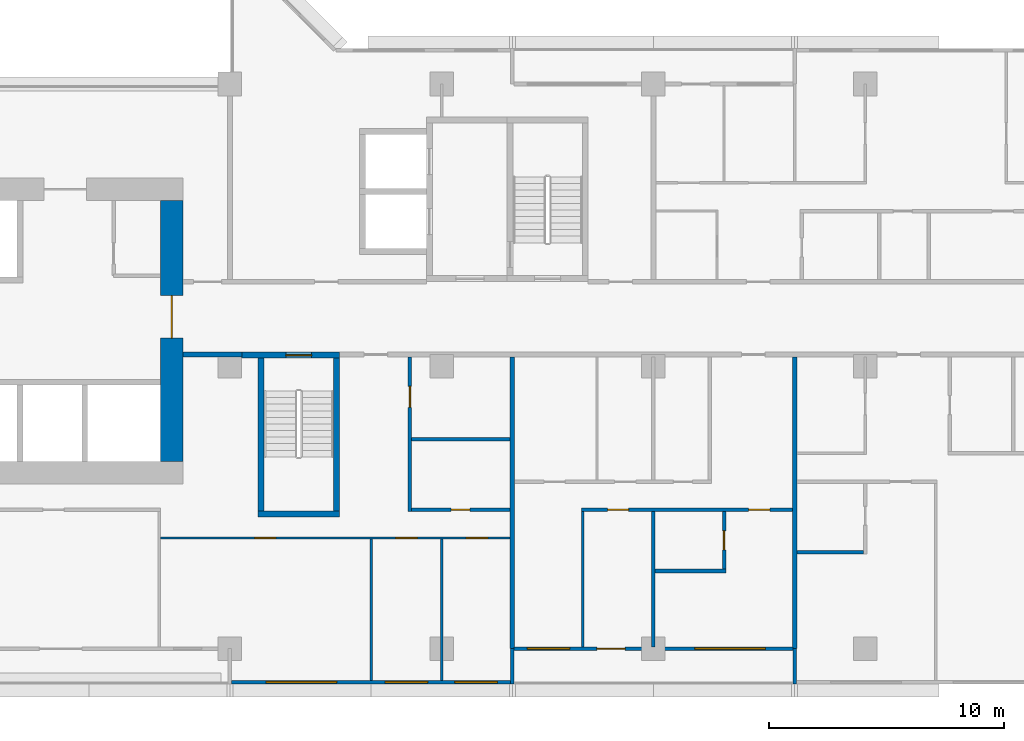
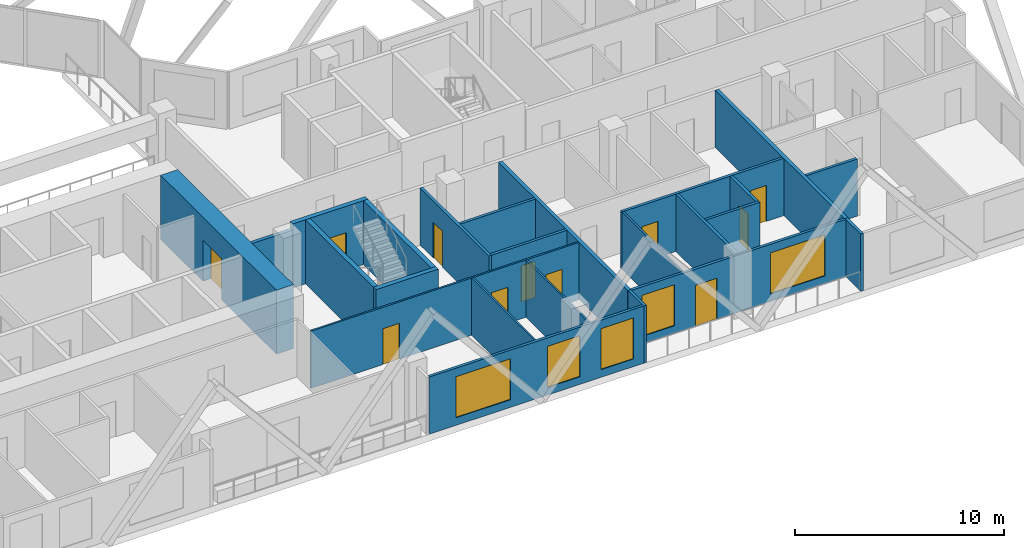
# One storey, part 6 of 15: 24 walls, 11 doors, 5 windows, 16 openings.
"""IFC4 building model written with IfcOpenShell, lengths in metres."""

from ifc_helpers import new_model, si_unit, direction, frame, frame_2d, origin, place, context, subcontext, project, spatial, rectangle, extrude, material, layer, layer_set, type_object, element, fill, save


model = new_model("IFC4")

# Units and contexts
model_context = context("Model", 3, precision=1e-05, world=origin(), true_north=direction((0.0, 1.0)))
body_context = subcontext(model_context, "Body", "Model", "MODEL_VIEW")
ifc_project = project(units=[si_unit("LENGTHUNIT", "METRE"), si_unit("AREAUNIT", "SQUARE_METRE"), si_unit("VOLUMEUNIT", "CUBIC_METRE"), si_unit("PLANEANGLEUNIT", "RADIAN"), si_unit("MASSUNIT", "GRAM", prefix="KILO")], contexts=[model_context])

# Site, building, storey
site_placement = place(None, origin())
site = spatial("IfcSite", under=ifc_project, at=site_placement, CompositionType="ELEMENT")
building_placement = place(site_placement, origin())
building = spatial("IfcBuilding", under=site, at=building_placement, Name="Chenar Terraces", CompositionType="ELEMENT")
storey_placement = place(building_placement, frame((0.0, 0.0, 106.89990234375)))
storey = spatial("IfcBuildingStorey", under=building, at=storey_placement, Name="L24", CompositionType="ELEMENT", Elevation=106.89990234375)

# Wall
ifc_material_1 = material(Name="Concrete C70/85", Category="concrete")
ifc_layer_1 = layer(ifc_material_1, 0.25)
ifc_layer_set_1 = layer_set([ifc_layer_1], Name="Concrete C70/85")
wall_type_1 = type_object("IfcWallType", Name="Core wall 250 Concrete C70/85", PredefinedType="SHEAR", material=ifc_layer_set_1)
wall_1_placement = place(storey_placement, frame((37.199951171875, 5.72509765625, 0.0), z_axis=(0.0, 0.0, 1.0), x_axis=(1.0, 0.0, 0.0)))
element("IfcWall", 1, at=wall_1_placement, inside=storey, type_object=wall_type_1, Name="Core wall ST2_S L24", PredefinedType="SHEAR", context=body_context, shape_type="SweptSolid", body=[
    extrude(rectangle(XDim=3.449951171875, YDim=0.25, at=frame_2d((1.72509765625, 0.0))), origin(), (0.0, 0.0, 1.0), 3.75),
])

# Wall, opening, door
wall_2_placement = place(storey_placement, frame((36.5, 12.47509765625, 0.0), z_axis=(0.0, 0.0, 1.0), x_axis=(1.0, 0.0, 0.0)))
wall_2 = element("IfcWall", 2, at=wall_2_placement, inside=storey, type_object=wall_type_1, Name="Core wall ST2_N L24", PredefinedType="SHEAR", context=body_context, shape_type="SweptSolid", body=[
    extrude(rectangle(XDim=4.14990234375, YDim=0.25, at=frame_2d((2.074951171875, 0.0))), origin(), (0.0, 0.0, 1.0), 3.75),
])
opening_1_placement = place(wall_2_placement, frame((1.875, 0.0, 0.0)))
opening_1 = element("IfcOpeningElement", 3, at=opening_1_placement, cuts=wall_2, Name="Opening DL24-C7", PredefinedType="OPENING", context=body_context, shape_type="SweptSolid", body=[
    extrude(rectangle(XDim=1.10009765625, YDim=2.199951171875, at=frame_2d((0.550048828125, 1.10009765625))), frame((0.0, 0.135009765625, 0.0), z_axis=(0.0, -1.0, 0.0), x_axis=(1.0, 0.0, 0.0)), (0.0, 0.0, 1.0), 0.27001953125),
])
ifc_material_2 = material(Name="Steel-framed fire-resisting door leaf", Category="steel")
door_type_1 = type_object("IfcDoorType", Name="Stair fire door FD60 1100 x 2200", OperationType="SINGLE_SWING_LEFT", PredefinedType="DOOR", material=ifc_material_2)
door_1_placement = place(opening_1_placement, frame((1.10009765625, 0.0, 0.0), z_axis=(0.0, 0.0, 1.0), x_axis=(-1.0, 0.0, 0.0)))
door_1 = element("IfcDoor", 4, at=door_1_placement, inside=storey, type_object=door_type_1, Name="Stair door DL24-C7", OperationType="SINGLE_SWING_RIGHT", OverallHeight=2.199951171875, OverallWidth=1.10009765625, PredefinedType="DOOR", context=body_context, shape_type="SweptSolid", body=[
    extrude(rectangle(XDim=1.10009765625, YDim=2.199951171875, at=frame_2d((0.550048828125, 1.10009765625))), frame((0.0, 0.02490234375, 0.0), z_axis=(0.0, -1.0, 0.0), x_axis=(1.0, 0.0, 0.0)), (0.0, 0.0, 1.0), 0.050048828125),
])
fill(opening_1, door_1)

# Walls
for number, where, z_axis, x_axis, name in (
    (5, (37.324951171875, 5.85009765625, 0.0), (0.0, 0.0, 1.0), (0.0, 1.0, 0.0), "Core wall ST2_W L24"),
    (6, (40.52490234375, 5.85009765625, 0.0), (0.0, 0.0, 1.0), (0.0, 1.0, 0.0), "Core wall ST2_E L24"),
):
    element("IfcWall", number, at=place(storey_placement, frame(where, z_axis=z_axis, x_axis=x_axis)), inside=storey, type_object=wall_type_1, Name=name, PredefinedType="SHEAR", context=body_context, shape_type="SweptSolid", body=[
        extrude(rectangle(XDim=6.5, YDim=0.25, at=frame_2d((3.25, 0.0))), origin(), (0.0, 0.0, 1.0), 3.75),
    ])

# Wall, opening, door
ifc_material_3 = material(Name="Concrete C70/85", Category="concrete")
ifc_layer_2 = layer(ifc_material_3, 0.949951171875)
ifc_layer_set_2 = layer_set([ifc_layer_2], Name="Concrete C70/85")
wall_type_2 = type_object("IfcWallType", Name="Core wall 950 Concrete C70/85", PredefinedType="SHEAR", material=ifc_layer_set_2)
wall_3_placement = place(storey_placement, frame((33.52490234375, 7.949951171875, 0.0), z_axis=(0.0, 0.0, 1.0), x_axis=(0.0, 1.0, 0.0)))
wall_3 = element("IfcWall", 7, at=wall_3_placement, inside=storey, type_object=wall_type_2, Name="Core wall E L24", PredefinedType="SHEAR", context=body_context, shape_type="SweptSolid", body=[
    extrude(rectangle(XDim=11.10009765625, YDim=0.949951171875, at=frame_2d((5.550048828125, 0.0))), origin(), (0.0, 0.0, 1.0), 3.75),
])
opening_2_placement = place(wall_3_placement, frame((5.25, 0.0, 0.0)))
opening_2 = element("IfcOpeningElement", 8, at=opening_2_placement, cuts=wall_3, Name="Opening DL24-C1", PredefinedType="OPENING", context=body_context, shape_type="SweptSolid", body=[
    extrude(rectangle(XDim=1.800048828125, YDim=2.39990234375, at=frame_2d((0.89990234375, 1.199951171875))), frame((0.0, 0.48486328125, 0.0), z_axis=(0.0, -1.0, 0.0), x_axis=(1.0, 0.0, 0.0)), (0.0, 0.0, 1.0), 0.969970703125),
])
ifc_material_4 = material(Name="Steel-framed fire-resisting door leaf", Category="steel")
door_type_2 = type_object("IfcDoorType", Name="Core entrance double fire door FD60 1800 x 2400", OperationType="DOUBLE_DOOR_SINGLE_SWING", PredefinedType="DOOR", material=ifc_material_4)
door_2_placement = place(opening_2_placement, origin())
door_2 = element("IfcDoor", 9, at=door_2_placement, inside=storey, type_object=door_type_2, Name="Core door DL24-C1", OperationType="DOUBLE_DOOR_SINGLE_SWING", OverallHeight=2.39990234375, OverallWidth=1.800048828125, PredefinedType="DOOR", context=body_context, shape_type="SweptSolid", body=[
    extrude(rectangle(XDim=1.800048828125, YDim=2.39990234375, at=frame_2d((0.89990234375, 1.199951171875))), frame((0.0, 0.02490234375, 0.0), z_axis=(0.0, -1.0, 0.0), x_axis=(1.0, 0.0, 0.0)), (0.0, 0.0, 1.0), 0.050048828125),
])
fill(opening_2, door_2)

# Wall
ifc_material_5 = material(Name="Gypsum board on steel studs with fire boards", Category="steel")
ifc_layer_3 = layer(ifc_material_5, 0.199951171875)
ifc_layer_set_3 = layer_set([ifc_layer_3], Name="Gypsum board on steel studs with fire boards")
wall_type_3 = type_object("IfcWallType", Name="Corridor wall 200", PredefinedType="PARTITIONING", material=ifc_layer_set_3)
wall_4_placement = place(storey_placement, frame((34.0, 12.5, 0.0), z_axis=(0.0, 0.0, 1.0), x_axis=(1.0, 0.0, 0.0)))
element("IfcWall", 10, at=wall_4_placement, inside=storey, type_object=wall_type_3, Name="Partition L24-061", PredefinedType="PARTITIONING", context=body_context, shape_type="SweptSolid", body=[
    extrude(rectangle(XDim=2.5009765625, YDim=0.199951171875, at=frame_2d((1.25048828125, 0.0))), origin(), (0.0, 0.0, 1.0), 3.35009765625),
])

# Wall, openings, windows
ifc_material_6 = material(Name="Aluminium framed glazing", Category="aluminium")
ifc_layer_4 = layer(ifc_material_6, 0.14990234375)
ifc_layer_set_4 = layer_set([ifc_layer_4], Name="Aluminium framed glazing")
wall_type_4 = type_object("IfcWallType", Name="Glazed flush facade wall 150", PredefinedType="SOLIDWALL", material=ifc_layer_set_4)
wall_5_placement = place(storey_placement, frame((36.074951171875, -1.425048828125, 0.0), z_axis=(0.0, 0.0, 1.0), x_axis=(1.0, 0.0, 0.0)))
wall_5 = element("IfcWall", 11, at=wall_5_placement, inside=storey, type_object=wall_type_4, Name="Glazed flush facade wall", PredefinedType="SOLIDWALL", context=body_context, shape_type="SweptSolid", body=[
    extrude(rectangle(XDim=11.85009765625, YDim=0.14990234375, at=frame_2d((5.925048828125, 0.0))), origin(), (0.0, 0.0, 1.0), 3.35009765625),
])
opening_3_placement = place(wall_5_placement, frame((1.46240234375, 0.0, 0.449951171875)))
opening_3 = element("IfcOpeningElement", 12, at=opening_3_placement, cuts=wall_5, Name="Opening W300x240", PredefinedType="OPENING", context=body_context, shape_type="SweptSolid", body=[
    extrude(rectangle(XDim=3.0, YDim=2.39990234375, at=frame_2d((1.5, 1.199951171875))), frame((0.0, 0.0849609375, 0.0), z_axis=(0.0, -1.0, 0.0), x_axis=(1.0, 0.0, 0.0)), (0.0, 0.0, 1.0), 0.169921875),
])
opening_4_placement = place(wall_5_placement, frame((6.52490234375, 0.0, 0.449951171875)))
opening_4 = element("IfcOpeningElement", 13, at=opening_4_placement, cuts=wall_5, Name="Opening W180x240", PredefinedType="OPENING", context=body_context, shape_type="SweptSolid", body=[
    extrude(rectangle(XDim=1.800048828125, YDim=2.39990234375, at=frame_2d((0.89990234375, 1.199951171875))), frame((0.0, 0.0849609375, 0.0), z_axis=(0.0, -1.0, 0.0), x_axis=(1.0, 0.0, 0.0)), (0.0, 0.0, 1.0), 0.169921875),
])
opening_5_placement = place(wall_5_placement, frame((9.487548828125, 0.0, 0.449951171875)))
opening_5 = element("IfcOpeningElement", 14, at=opening_5_placement, cuts=wall_5, Name="Opening W180x240", PredefinedType="OPENING", context=body_context, shape_type="SweptSolid", body=[
    extrude(rectangle(XDim=1.800048828125, YDim=2.39990234375, at=frame_2d((0.89990234375, 1.199951171875))), frame((0.0, 0.0849609375, 0.0), z_axis=(0.0, -1.0, 0.0), x_axis=(1.0, 0.0, 0.0)), (0.0, 0.0, 1.0), 0.169921875),
])
ifc_material_7 = material(Name="Low emissivity double glazing, aluminium frame", Category="aluminium")
window_type_1 = type_object("IfcWindowType", Name="Fixed light 1800 x 2400", PartitioningType="SINGLE_PANEL", PredefinedType="WINDOW", material=ifc_material_7)
window_1_placement = place(opening_4_placement, origin())
window_1 = element("IfcWindow", 15, at=window_1_placement, inside=storey, type_object=window_type_1, Name="Window", OverallHeight=2.39990234375, OverallWidth=1.800048828125, PartitioningType="SINGLE_PANEL", PredefinedType="WINDOW", context=body_context, shape_type="SweptSolid", body=[
    extrude(rectangle(XDim=1.800048828125, YDim=2.39990234375, at=frame_2d((0.89990234375, 1.199951171875))), frame((0.0, 0.030029296875, 0.0), z_axis=(0.0, -1.0, 0.0), x_axis=(1.0, 0.0, 0.0)), (0.0, 0.0, 1.0), 0.06005859375),
])
fill(opening_4, window_1)
window_2_placement = place(opening_5_placement, origin())
window_2 = element("IfcWindow", 16, at=window_2_placement, inside=storey, type_object=window_type_1, Name="Window", OverallHeight=2.39990234375, OverallWidth=1.800048828125, PartitioningType="SINGLE_PANEL", PredefinedType="WINDOW", context=body_context, shape_type="SweptSolid", body=[
    extrude(rectangle(XDim=1.800048828125, YDim=2.39990234375, at=frame_2d((0.89990234375, 1.199951171875))), frame((0.0, 0.030029296875, 0.0), z_axis=(0.0, -1.0, 0.0), x_axis=(1.0, 0.0, 0.0)), (0.0, 0.0, 1.0), 0.06005859375),
])
fill(opening_5, window_2)
ifc_material_8 = material(Name="Low emissivity double glazing, aluminium frame", Category="aluminium")
window_type_2 = type_object("IfcWindowType", Name="Fixed light 3000 x 2400", PartitioningType="SINGLE_PANEL", PredefinedType="WINDOW", material=ifc_material_8)
window_3_placement = place(opening_3_placement, origin())
window_3 = element("IfcWindow", 17, at=window_3_placement, inside=storey, type_object=window_type_2, Name="Window", OverallHeight=2.39990234375, OverallWidth=3.0, PartitioningType="SINGLE_PANEL", PredefinedType="WINDOW", context=body_context, shape_type="SweptSolid", body=[
    extrude(rectangle(XDim=3.0, YDim=2.39990234375, at=frame_2d((1.5, 1.199951171875))), frame((0.0, 0.030029296875, 0.0), z_axis=(0.0, -1.0, 0.0), x_axis=(1.0, 0.0, 0.0)), (0.0, 0.0, 1.0), 0.06005859375),
])
fill(opening_3, window_3)

# Wall, openings, windows, door
ifc_material_9 = material(Name="Aluminium framed glazing", Category="aluminium")
ifc_layer_5 = layer(ifc_material_9, 0.14990234375)
ifc_layer_set_5 = layer_set([ifc_layer_5], Name="Aluminium framed glazing")
wall_type_5 = type_object("IfcWallType", Name="Glazed loggia back wall 150", PredefinedType="SOLIDWALL", material=ifc_layer_set_5)
wall_6_placement = place(storey_placement, frame((48.074951171875, 0.0, 0.0), z_axis=(0.0, 0.0, 1.0), x_axis=(1.0, 0.0, 0.0)))
wall_6 = element("IfcWall", 18, at=wall_6_placement, inside=storey, type_object=wall_type_5, Name="Glazed loggia back wall", PredefinedType="SOLIDWALL", context=body_context, shape_type="SweptSolid", body=[
    extrude(rectangle(XDim=11.85009765625, YDim=0.14990234375, at=frame_2d((5.925048828125, 0.0))), origin(), (0.0, 0.0, 1.0), 3.35009765625),
])
opening_6_placement = place(wall_6_placement, frame((0.5625, 0.0, 0.449951171875)))
opening_6 = element("IfcOpeningElement", 19, at=opening_6_placement, cuts=wall_6, Name="Opening W180x240", PredefinedType="OPENING", context=body_context, shape_type="SweptSolid", body=[
    extrude(rectangle(XDim=1.800048828125, YDim=2.39990234375, at=frame_2d((0.89990234375, 1.199951171875))), frame((0.0, 0.0849609375, 0.0), z_axis=(0.0, -1.0, 0.0), x_axis=(1.0, 0.0, 0.0)), (0.0, 0.0, 1.0), 0.169921875),
])
opening_7_placement = place(wall_6_placement, frame((3.52490234375, 0.0, 0.0)))
opening_7 = element("IfcOpeningElement", 20, at=opening_7_placement, cuts=wall_6, Name="Opening DL24-G7", PredefinedType="OPENING", context=body_context, shape_type="SweptSolid", body=[
    extrude(rectangle(XDim=1.199951171875, YDim=2.39990234375, at=frame_2d((0.60009765625, 1.199951171875))), frame((0.0, 0.0849609375, 0.0), z_axis=(0.0, -1.0, 0.0), x_axis=(1.0, 0.0, 0.0)), (0.0, 0.0, 1.0), 0.169921875),
])
opening_8_placement = place(wall_6_placement, frame((7.6875, 0.0, 0.449951171875)))
opening_8 = element("IfcOpeningElement", 21, at=opening_8_placement, cuts=wall_6, Name="Opening W300x240", PredefinedType="OPENING", context=body_context, shape_type="SweptSolid", body=[
    extrude(rectangle(XDim=3.0, YDim=2.39990234375, at=frame_2d((1.5, 1.199951171875))), frame((0.0, 0.0849609375, 0.0), z_axis=(0.0, -1.0, 0.0), x_axis=(1.0, 0.0, 0.0)), (0.0, 0.0, 1.0), 0.169921875),
])
window_4_placement = place(opening_6_placement, origin())
window_4 = element("IfcWindow", 22, at=window_4_placement, inside=storey, type_object=window_type_1, Name="Window", OverallHeight=2.39990234375, OverallWidth=1.800048828125, PartitioningType="SINGLE_PANEL", PredefinedType="WINDOW", context=body_context, shape_type="SweptSolid", body=[
    extrude(rectangle(XDim=1.800048828125, YDim=2.39990234375, at=frame_2d((0.89990234375, 1.199951171875))), frame((0.0, 0.030029296875, 0.0), z_axis=(0.0, -1.0, 0.0), x_axis=(1.0, 0.0, 0.0)), (0.0, 0.0, 1.0), 0.06005859375),
])
fill(opening_6, window_4)
window_5_placement = place(opening_8_placement, origin())
window_5 = element("IfcWindow", 23, at=window_5_placement, inside=storey, type_object=window_type_2, Name="Window", OverallHeight=2.39990234375, OverallWidth=3.0, PartitioningType="SINGLE_PANEL", PredefinedType="WINDOW", context=body_context, shape_type="SweptSolid", body=[
    extrude(rectangle(XDim=3.0, YDim=2.39990234375, at=frame_2d((1.5, 1.199951171875))), frame((0.0, 0.030029296875, 0.0), z_axis=(0.0, -1.0, 0.0), x_axis=(1.0, 0.0, 0.0)), (0.0, 0.0, 1.0), 0.06005859375),
])
fill(opening_8, window_5)
ifc_material_10 = material(Name="Low emissivity double glazing, aluminium frame", Category="aluminium")
door_type_3 = type_object("IfcDoorType", Name="Loggia glazed double door 1200 x 2400", OperationType="DOUBLE_DOOR_SINGLE_SWING", PredefinedType="DOOR", material=ifc_material_10)
door_3_placement = place(opening_7_placement, frame((1.199951171875, 0.0, 0.0), z_axis=(0.0, 0.0, 1.0), x_axis=(-1.0, 0.0, 0.0)))
door_3 = element("IfcDoor", 24, at=door_3_placement, inside=storey, type_object=door_type_3, Name="Loggia glazed door", OperationType="DOUBLE_DOOR_SINGLE_SWING", OverallHeight=2.39990234375, OverallWidth=1.199951171875, PredefinedType="DOOR", context=body_context, shape_type="SweptSolid", body=[
    extrude(rectangle(XDim=1.199951171875, YDim=2.39990234375, at=frame_2d((0.60009765625, 1.199951171875))), frame((0.0, 0.02490234375, 0.0), z_axis=(0.0, -1.0, 0.0), x_axis=(1.0, 0.0, 0.0)), (0.0, 0.0, 1.0), 0.050048828125),
])
fill(opening_7, door_3)

# Wall, openings, doors
ifc_material_11 = material(Name="Gypsum board on steel studs", Category="steel")
ifc_layer_6 = layer(ifc_material_11, 0.10009765625)
ifc_layer_set_6 = layer_set([ifc_layer_6], Name="Gypsum board on steel studs")
wall_type_6 = type_object("IfcWallType", Name="Gypsum partition 100", PredefinedType="PARTITIONING", material=ifc_layer_set_6)
wall_7_placement = place(storey_placement, frame((33.050048828125, 4.699951171875, 0.0), z_axis=(0.0, 0.0, 1.0), x_axis=(1.0, 0.0, 0.0)))
wall_7 = element("IfcWall", 25, at=wall_7_placement, inside=storey, type_object=wall_type_6, Name="Partition L24-060", PredefinedType="PARTITIONING", context=body_context, shape_type="SweptSolid", body=[
    extrude(rectangle(XDim=14.849853515625, YDim=0.10009765625, at=frame_2d((7.4248046875, 0.0))), origin(), (0.0, 0.0, 1.0), 3.35009765625),
])
opening_9_placement = place(wall_7_placement, frame((10.0, 0.0, 0.0)))
opening_9 = element("IfcOpeningElement", 26, at=opening_9_placement, cuts=wall_7, Name="Opening DL24-54", PredefinedType="OPENING", context=body_context, shape_type="SweptSolid", body=[
    extrude(rectangle(XDim=0.89990234375, YDim=2.10009765625, at=frame_2d((0.449951171875, 1.050048828125))), frame((0.0, 0.06005859375, 0.0), z_axis=(0.0, -1.0, 0.0), x_axis=(1.0, 0.0, 0.0)), (0.0, 0.0, 1.0), 0.1201171875),
])
opening_10_placement = place(wall_7_placement, frame((13.0, 0.0, 0.0)))
opening_10 = element("IfcOpeningElement", 27, at=opening_10_placement, cuts=wall_7, Name="Opening DL24-55", PredefinedType="OPENING", context=body_context, shape_type="SweptSolid", body=[
    extrude(rectangle(XDim=0.89990234375, YDim=2.10009765625, at=frame_2d((0.449951171875, 1.050048828125))), frame((0.0, 0.06005859375, 0.0), z_axis=(0.0, -1.0, 0.0), x_axis=(1.0, 0.0, 0.0)), (0.0, 0.0, 1.0), 0.1201171875),
])
opening_11_placement = place(wall_7_placement, frame((4.0, 0.0, 0.0)))
opening_11 = element("IfcOpeningElement", 28, at=opening_11_placement, cuts=wall_7, Name="Opening DL24-63", PredefinedType="OPENING", context=body_context, shape_type="SweptSolid", body=[
    extrude(rectangle(XDim=0.89990234375, YDim=2.10009765625, at=frame_2d((0.449951171875, 1.050048828125))), frame((0.0, 0.06005859375, 0.0), z_axis=(0.0, -1.0, 0.0), x_axis=(1.0, 0.0, 0.0)), (0.0, 0.0, 1.0), 0.1201171875),
])
ifc_material_12 = material(Name="Veneered timber door leaf", Category="wood")
door_type_4 = type_object("IfcDoorType", Name="Door 900 x 2100", OperationType="SINGLE_SWING_LEFT", PredefinedType="DOOR", material=ifc_material_12)
door_4_placement = place(opening_9_placement, frame((0.89990234375, 0.0, 0.0), z_axis=(0.0, 0.0, 1.0), x_axis=(-1.0, 0.0, 0.0)))
door_4 = element("IfcDoor", 29, at=door_4_placement, inside=storey, type_object=door_type_4, Name="Door DL24-54", OperationType="SINGLE_SWING_LEFT", OverallHeight=2.10009765625, OverallWidth=0.89990234375, PredefinedType="DOOR", context=body_context, shape_type="SweptSolid", body=[
    extrude(rectangle(XDim=0.89990234375, YDim=2.10009765625, at=frame_2d((0.449951171875, 1.050048828125))), frame((0.0, 0.02490234375, 0.0), z_axis=(0.0, -1.0, 0.0), x_axis=(1.0, 0.0, 0.0)), (0.0, 0.0, 1.0), 0.050048828125),
])
fill(opening_9, door_4)
door_5_placement = place(opening_10_placement, frame((0.89990234375, 0.0, 0.0), z_axis=(0.0, 0.0, 1.0), x_axis=(-1.0, 0.0, 0.0)))
door_5 = element("IfcDoor", 30, at=door_5_placement, inside=storey, type_object=door_type_4, Name="Door DL24-55", OperationType="SINGLE_SWING_LEFT", OverallHeight=2.10009765625, OverallWidth=0.89990234375, PredefinedType="DOOR", context=body_context, shape_type="SweptSolid", body=[
    extrude(rectangle(XDim=0.89990234375, YDim=2.10009765625, at=frame_2d((0.449951171875, 1.050048828125))), frame((0.0, 0.02490234375, 0.0), z_axis=(0.0, -1.0, 0.0), x_axis=(1.0, 0.0, 0.0)), (0.0, 0.0, 1.0), 0.050048828125),
])
fill(opening_10, door_5)
door_6_placement = place(opening_11_placement, frame((0.89990234375, 0.0, 0.0), z_axis=(0.0, 0.0, 1.0), x_axis=(-1.0, 0.0, 0.0)))
door_6 = element("IfcDoor", 31, at=door_6_placement, inside=storey, type_object=door_type_4, Name="Door DL24-63", OperationType="SINGLE_SWING_LEFT", OverallHeight=2.10009765625, OverallWidth=0.89990234375, PredefinedType="DOOR", context=body_context, shape_type="SweptSolid", body=[
    extrude(rectangle(XDim=0.89990234375, YDim=2.10009765625, at=frame_2d((0.449951171875, 1.050048828125))), frame((0.0, 0.02490234375, 0.0), z_axis=(0.0, -1.0, 0.0), x_axis=(1.0, 0.0, 0.0)), (0.0, 0.0, 1.0), 0.050048828125),
])
fill(opening_11, door_6)

# Walls
wall_8_placement = place(storey_placement, frame((42.0, -1.35009765625, 0.0), z_axis=(0.0, 0.0, 1.0), x_axis=(0.0, 1.0, 0.0)))
element("IfcWall", 32, at=wall_8_placement, inside=storey, type_object=wall_type_6, Name="Partition L24-065", PredefinedType="PARTITIONING", context=body_context, shape_type="SweptSolid", body=[
    extrude(rectangle(XDim=6.0, YDim=0.10009765625, at=frame_2d((3.0, 0.0))), origin(), (0.0, 0.0, 1.0), 3.35009765625),
])
wall_9_placement = place(storey_placement, frame((45.0, -1.35107421875, 0.0), z_axis=(0.0, 0.0, 1.0), x_axis=(0.0, 1.0, 0.0)))
element("IfcWall", 33, at=wall_9_placement, inside=storey, type_object=wall_type_6, Name="Partition L24-069", PredefinedType="PARTITIONING", context=body_context, shape_type="SweptSolid", body=[
    extrude(rectangle(XDim=6.0009765625, YDim=0.10009765625, at=frame_2d((3.00048828125, 0.0))), origin(), (0.0, 0.0, 1.0), 3.35009765625),
])
wall_10_placement = place(storey_placement, frame((51.0, 0.073974609375, 0.0), z_axis=(0.0, 0.0, 1.0), x_axis=(0.0, 1.0, 0.0)))
element("IfcWall", 34, at=wall_10_placement, inside=storey, type_object=wall_type_6, Name="Partition L24-074", PredefinedType="PARTITIONING", context=body_context, shape_type="SweptSolid", body=[
    extrude(rectangle(XDim=5.7509765625, YDim=0.10009765625, at=frame_2d((2.87548828125, 0.0))), origin(), (0.0, 0.0, 1.0), 3.35009765625),
])
ifc_material_13 = material(Name="Terracotta cladding on insulated backing", Category="masonry")
ifc_layer_7 = layer(ifc_material_13, 0.14990234375)
ifc_layer_set_7 = layer_set([ifc_layer_7], Name="Terracotta cladding on insulated backing")
wall_type_7 = type_object("IfcWallType", Name="Loggia return wall 150", PredefinedType="SOLIDWALL", material=ifc_layer_set_7)
for number, where, z_axis, x_axis, name in (
    (35, (48.0, -1.5, 0.0), (0.0, 0.0, 1.0), (0.0, 1.0, 0.0), "Loggia return wall"),
    (36, (60.0, -1.5, 0.0), (0.0, 0.0, 1.0), (0.0, 1.0, 0.0), "Loggia return wall"),
):
    element("IfcWall", number, at=place(storey_placement, frame(where, z_axis=z_axis, x_axis=x_axis)), inside=storey, type_object=wall_type_7, Name=name, PredefinedType="SOLIDWALL", context=body_context, shape_type="SweptSolid", body=[
        extrude(rectangle(XDim=1.5, YDim=0.14990234375, at=frame_2d((0.75, 0.0))), origin(), (0.0, 0.0, 1.0), 3.35009765625),
    ])
ifc_material_14 = material(Name="Twin gypsum board on steel studs with mineral wool", Category="steel")
ifc_layer_8 = layer(ifc_material_14, 0.199951171875)
ifc_layer_set_8 = layer_set([ifc_layer_8], Name="Twin gypsum board on steel studs with mineral wool")
wall_type_8 = type_object("IfcWallType", Name="Unit demising wall 200", PredefinedType="PARTITIONING", material=ifc_layer_set_8)
for number, where, z_axis, x_axis, name in (
    (37, (48.0, 0.0, 0.0), (0.0, 0.0, 1.0), (0.0, 1.0, 0.0), "Partition L24-071"),
    (38, (60.0, 0.0, 0.0), (0.0, 0.0, 1.0), (0.0, 1.0, 0.0), "Partition L24-087"),
):
    element("IfcWall", number, at=place(storey_placement, frame(where, z_axis=z_axis, x_axis=x_axis)), inside=storey, type_object=wall_type_8, Name=name, PredefinedType="PARTITIONING", context=body_context, shape_type="SweptSolid", body=[
        extrude(rectangle(XDim=12.39990234375, YDim=0.199951171875, at=frame_2d((6.199951171875, 0.0))), origin(), (0.0, 0.0, 1.0), 3.35009765625),
    ])

# Wall, opening, door
ifc_material_15 = material(Name="Moisture-resistant gypsum board on steel studs", Category="steel")
ifc_layer_9 = layer(ifc_material_15, 0.14990234375)
ifc_layer_set_9 = layer_set([ifc_layer_9], Name="Moisture-resistant gypsum board on steel studs")
wall_type_9 = type_object("IfcWallType", Name="Wet-room partition 150", PredefinedType="PARTITIONING", material=ifc_layer_set_9)
wall_11_placement = place(storey_placement, frame((43.64990234375, 5.824951171875, 0.0), z_axis=(0.0, 0.0, 1.0), x_axis=(0.0, 1.0, 0.0)))
wall_11 = element("IfcWall", 39, at=wall_11_placement, inside=storey, type_object=wall_type_9, Name="Partition L24-066", PredefinedType="PARTITIONING", context=body_context, shape_type="SweptSolid", body=[
    extrude(rectangle(XDim=6.574951171875, YDim=0.14990234375, at=frame_2d((3.28759765625, 0.0))), origin(), (0.0, 0.0, 1.0), 3.35009765625),
])
opening_12_placement = place(wall_11_placement, frame((4.425048828125, 0.0, 0.0)))
opening_12 = element("IfcOpeningElement", 40, at=opening_12_placement, cuts=wall_11, Name="Opening DL24-61", PredefinedType="OPENING", context=body_context, shape_type="SweptSolid", body=[
    extrude(rectangle(XDim=0.89990234375, YDim=2.10009765625, at=frame_2d((0.449951171875, 1.050048828125))), frame((0.0, 0.0849609375, 0.0), z_axis=(0.0, -1.0, 0.0), x_axis=(1.0, 0.0, 0.0)), (0.0, 0.0, 1.0), 0.169921875),
])
door_7_placement = place(opening_12_placement, frame((0.89990234375, 0.0, 0.0), z_axis=(0.0, 0.0, 1.0), x_axis=(-1.0, 0.0, 0.0)))
door_7 = element("IfcDoor", 41, at=door_7_placement, inside=storey, type_object=door_type_4, Name="Door DL24-61", OperationType="SINGLE_SWING_LEFT", OverallHeight=2.10009765625, OverallWidth=0.89990234375, PredefinedType="DOOR", context=body_context, shape_type="SweptSolid", body=[
    extrude(rectangle(XDim=0.89990234375, YDim=2.10009765625, at=frame_2d((0.449951171875, 1.050048828125))), frame((0.0, 0.02490234375, 0.0), z_axis=(0.0, -1.0, 0.0), x_axis=(1.0, 0.0, 0.0)), (0.0, 0.0, 1.0), 0.050048828125),
])
fill(opening_12, door_7)

wall_12_placement = place(storey_placement, frame((43.72509765625, 5.89990234375, 0.0), z_axis=(0.0, 0.0, 1.0), x_axis=(1.0, 0.0, 0.0)))
wall_12 = element("IfcWall", 42, at=wall_12_placement, inside=storey, type_object=wall_type_9, Name="Partition L24-067", PredefinedType="PARTITIONING", context=body_context, shape_type="SweptSolid", body=[
    extrude(rectangle(XDim=4.1748046875, YDim=0.14990234375, at=frame_2d((2.08740234375, 0.0))), origin(), (0.0, 0.0, 1.0), 3.35009765625),
])
opening_13_placement = place(wall_12_placement, frame((1.675048828125, 0.0, 0.0)))
opening_13 = element("IfcOpeningElement", 43, at=opening_13_placement, cuts=wall_12, Name="Opening DL24-51", PredefinedType="OPENING", context=body_context, shape_type="SweptSolid", body=[
    extrude(rectangle(XDim=0.800048828125, YDim=2.10009765625, at=frame_2d((0.39990234375, 1.050048828125))), frame((0.0, 0.0849609375, 0.0), z_axis=(0.0, -1.0, 0.0), x_axis=(1.0, 0.0, 0.0)), (0.0, 0.0, 1.0), 0.169921875),
])
ifc_material_16 = material(Name="Veneered timber door leaf", Category="wood")
door_type_5 = type_object("IfcDoorType", Name="Door 800 x 2100", OperationType="SINGLE_SWING_LEFT", PredefinedType="DOOR", material=ifc_material_16)
door_8_placement = place(opening_13_placement, origin())
door_8 = element("IfcDoor", 44, at=door_8_placement, inside=storey, type_object=door_type_5, Name="Door DL24-51", OperationType="SINGLE_SWING_LEFT", OverallHeight=2.10009765625, OverallWidth=0.800048828125, PredefinedType="DOOR", context=body_context, shape_type="SweptSolid", body=[
    extrude(rectangle(XDim=0.800048828125, YDim=2.10009765625, at=frame_2d((0.39990234375, 1.050048828125))), frame((0.0, 0.02490234375, 0.0), z_axis=(0.0, -1.0, 0.0), x_axis=(1.0, 0.0, 0.0)), (0.0, 0.0, 1.0), 0.050048828125),
])
fill(opening_13, door_8)

# Wall
wall_13_placement = place(storey_placement, frame((43.72509765625, 8.89990234375, 0.0), z_axis=(0.0, 0.0, 1.0), x_axis=(1.0, 0.0, 0.0)))
element("IfcWall", 45, at=wall_13_placement, inside=storey, type_object=wall_type_9, Name="Partition L24-068", PredefinedType="PARTITIONING", context=body_context, shape_type="SweptSolid", body=[
    extrude(rectangle(XDim=4.1748046875, YDim=0.14990234375, at=frame_2d((2.08740234375, 0.0))), origin(), (0.0, 0.0, 1.0), 3.35009765625),
])

# Wall, openings, doors
wall_14_placement = place(storey_placement, frame((50.949951171875, 5.89990234375, 0.0), z_axis=(0.0, 0.0, 1.0), x_axis=(1.0, 0.0, 0.0)))
wall_14 = element("IfcWall", 46, at=wall_14_placement, inside=storey, type_object=wall_type_9, Name="Partition L24-073", PredefinedType="PARTITIONING", context=body_context, shape_type="SweptSolid", body=[
    extrude(rectangle(XDim=8.949951171875, YDim=0.14990234375, at=frame_2d((4.47509765625, 0.0))), origin(), (0.0, 0.0, 1.0), 3.35009765625),
])
opening_14_placement = place(wall_14_placement, frame((1.10009765625, 0.0, 0.0)))
opening_14 = element("IfcOpeningElement", 47, at=opening_14_placement, cuts=wall_14, Name="Opening DL24-14", PredefinedType="OPENING", context=body_context, shape_type="SweptSolid", body=[
    extrude(rectangle(XDim=0.89990234375, YDim=2.10009765625, at=frame_2d((0.449951171875, 1.050048828125))), frame((0.0, 0.0849609375, 0.0), z_axis=(0.0, -1.0, 0.0), x_axis=(1.0, 0.0, 0.0)), (0.0, 0.0, 1.0), 0.169921875),
])
opening_15_placement = place(wall_14_placement, frame((7.10009765625, 0.0, 0.0)))
opening_15 = element("IfcOpeningElement", 48, at=opening_15_placement, cuts=wall_14, Name="Opening DL24-15", PredefinedType="OPENING", context=body_context, shape_type="SweptSolid", body=[
    extrude(rectangle(XDim=0.89990234375, YDim=2.10009765625, at=frame_2d((0.449951171875, 1.050048828125))), frame((0.0, 0.0849609375, 0.0), z_axis=(0.0, -1.0, 0.0), x_axis=(1.0, 0.0, 0.0)), (0.0, 0.0, 1.0), 0.169921875),
])
door_9_placement = place(opening_14_placement, frame((0.89990234375, 0.0, 0.0), z_axis=(0.0, 0.0, 1.0), x_axis=(-1.0, 0.0, 0.0)))
door_9 = element("IfcDoor", 49, at=door_9_placement, inside=storey, type_object=door_type_4, Name="Door DL24-14", OperationType="SINGLE_SWING_RIGHT", OverallHeight=2.10009765625, OverallWidth=0.89990234375, PredefinedType="DOOR", context=body_context, shape_type="SweptSolid", body=[
    extrude(rectangle(XDim=0.89990234375, YDim=2.10009765625, at=frame_2d((0.449951171875, 1.050048828125))), frame((0.0, 0.02490234375, 0.0), z_axis=(0.0, -1.0, 0.0), x_axis=(1.0, 0.0, 0.0)), (0.0, 0.0, 1.0), 0.050048828125),
])
fill(opening_14, door_9)
door_10_placement = place(opening_15_placement, frame((0.89990234375, 0.0, 0.0), z_axis=(0.0, 0.0, 1.0), x_axis=(-1.0, 0.0, 0.0)))
door_10 = element("IfcDoor", 50, at=door_10_placement, inside=storey, type_object=door_type_4, Name="Door DL24-15", OperationType="SINGLE_SWING_RIGHT", OverallHeight=2.10009765625, OverallWidth=0.89990234375, PredefinedType="DOOR", context=body_context, shape_type="SweptSolid", body=[
    extrude(rectangle(XDim=0.89990234375, YDim=2.10009765625, at=frame_2d((0.449951171875, 1.050048828125))), frame((0.0, 0.02490234375, 0.0), z_axis=(0.0, -1.0, 0.0), x_axis=(1.0, 0.0, 0.0)), (0.0, 0.0, 1.0), 0.050048828125),
])
fill(opening_15, door_10)

# Walls
wall_15_placement = place(storey_placement, frame((54.0, 0.073974609375, 0.0), z_axis=(0.0, 0.0, 1.0), x_axis=(0.0, 1.0, 0.0)))
element("IfcWall", 51, at=wall_15_placement, inside=storey, type_object=wall_type_9, Name="Partition L24-077", PredefinedType="PARTITIONING", context=body_context, shape_type="SweptSolid", body=[
    extrude(rectangle(XDim=5.7509765625, YDim=0.14990234375, at=frame_2d((2.87548828125, 0.0))), origin(), (0.0, 0.0, 1.0), 3.35009765625),
])
wall_16_placement = place(storey_placement, frame((54.074951171875, 3.300048828125, 0.0), z_axis=(0.0, 0.0, 1.0), x_axis=(1.0, 0.0, 0.0)))
element("IfcWall", 52, at=wall_16_placement, inside=storey, type_object=wall_type_9, Name="Partition L24-080", PredefinedType="PARTITIONING", context=body_context, shape_type="SweptSolid", body=[
    extrude(rectangle(XDim=3.0, YDim=0.14990234375, at=frame_2d((1.5, 0.0))), origin(), (0.0, 0.0, 1.0), 3.35009765625),
])

# Wall, opening, door
wall_17_placement = place(storey_placement, frame((57.0, 3.375, 0.0), z_axis=(0.0, 0.0, 1.0), x_axis=(0.0, 1.0, 0.0)))
wall_17 = element("IfcWall", 53, at=wall_17_placement, inside=storey, type_object=wall_type_9, Name="Partition L24-085", PredefinedType="PARTITIONING", context=body_context, shape_type="SweptSolid", body=[
    extrude(rectangle(XDim=2.449951171875, YDim=0.14990234375, at=frame_2d((1.22509765625, 0.0))), origin(), (0.0, 0.0, 1.0), 3.35009765625),
])
opening_16_placement = place(wall_17_placement, frame((0.824951171875, 0.0, 0.0)))
opening_16 = element("IfcOpeningElement", 54, at=opening_16_placement, cuts=wall_17, Name="Opening DL24-16", PredefinedType="OPENING", context=body_context, shape_type="SweptSolid", body=[
    extrude(rectangle(XDim=0.800048828125, YDim=2.10009765625, at=frame_2d((0.39990234375, 1.050048828125))), frame((0.0, 0.0849609375, 0.0), z_axis=(0.0, -1.0, 0.0), x_axis=(1.0, 0.0, 0.0)), (0.0, 0.0, 1.0), 0.169921875),
])
door_11_placement = place(opening_16_placement, origin())
door_11 = element("IfcDoor", 55, at=door_11_placement, inside=storey, type_object=door_type_5, Name="Door DL24-16", OperationType="SINGLE_SWING_RIGHT", OverallHeight=2.10009765625, OverallWidth=0.800048828125, PredefinedType="DOOR", context=body_context, shape_type="SweptSolid", body=[
    extrude(rectangle(XDim=0.800048828125, YDim=2.10009765625, at=frame_2d((0.39990234375, 1.050048828125))), frame((0.0, 0.02490234375, 0.0), z_axis=(0.0, -1.0, 0.0), x_axis=(1.0, 0.0, 0.0)), (0.0, 0.0, 1.0), 0.050048828125),
])
fill(opening_16, door_11)

# Wall
wall_18_placement = place(storey_placement, frame((60.10009765625, 4.10009765625, 0.0), z_axis=(0.0, 0.0, 1.0), x_axis=(1.0, 0.0, 0.0)))
element("IfcWall", 56, at=wall_18_placement, inside=storey, type_object=wall_type_9, Name="Partition L24-089", PredefinedType="PARTITIONING", context=body_context, shape_type="SweptSolid", body=[
    extrude(rectangle(XDim=2.824951171875, YDim=0.14990234375, at=frame_2d((1.41259765625, 0.0))), origin(), (0.0, 0.0, 1.0), 3.35009765625),
])

save(model, "model.ifc")
